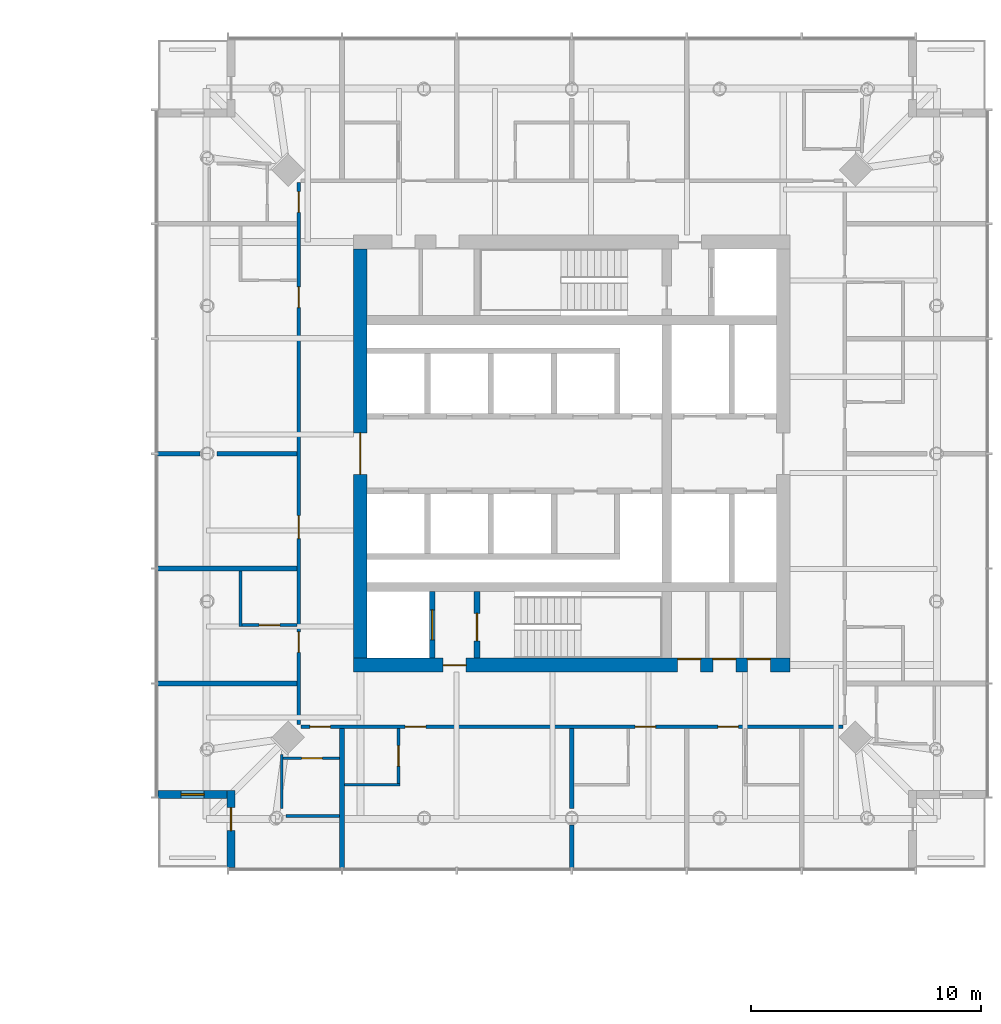
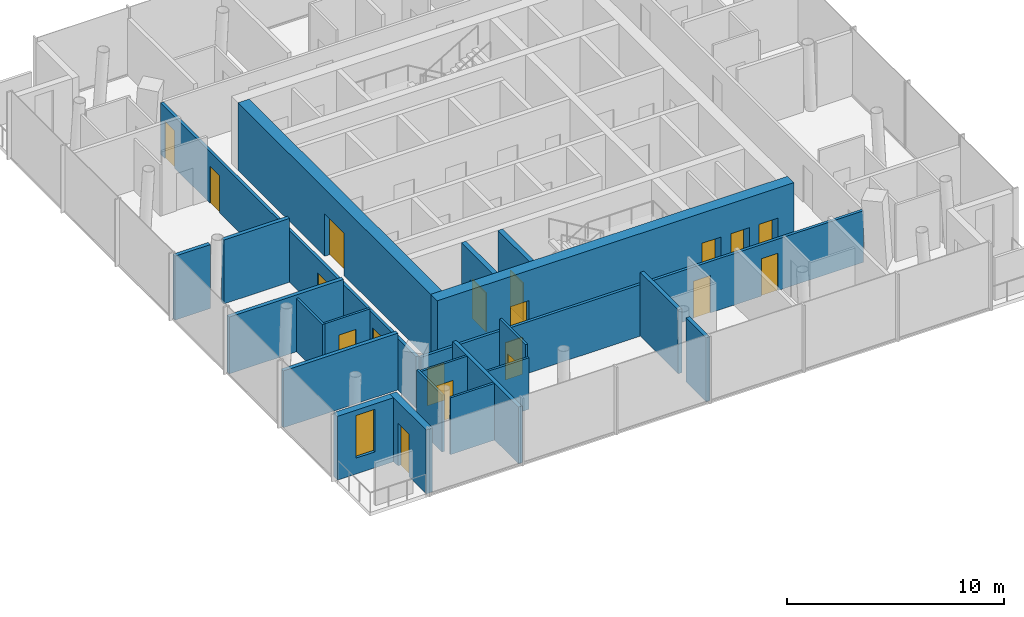
# One storey, part 12 of 18: 22 walls, 19 doors, 1 window, 20 openings.
"""IFC4 building model written with IfcOpenShell, lengths in metres."""

from ifc_helpers import new_model, si_unit, direction, frame, frame_2d, origin, place, context, subcontext, project, spatial, rectangle, extrude, material, layer, layer_set, type_object, element, fill, save


model = new_model("IFC4")

# Units and contexts
model_context = context("Model", 3, precision=1e-05, world=origin(), true_north=direction((0.0, 1.0)))
body_context = subcontext(model_context, "Body", "Model", "MODEL_VIEW")
ifc_project = project(units=[si_unit("LENGTHUNIT", "METRE"), si_unit("AREAUNIT", "SQUARE_METRE"), si_unit("VOLUMEUNIT", "CUBIC_METRE"), si_unit("PLANEANGLEUNIT", "RADIAN"), si_unit("MASSUNIT", "GRAM", prefix="KILO")], contexts=[model_context])

# Site, building, storey
site_placement = place(None, origin())
site = spatial("IfcSite", under=ifc_project, at=site_placement, CompositionType="ELEMENT")
building_placement = place(site_placement, origin())
building = spatial("IfcBuilding", under=site, at=building_placement, Name="Ostroluk Exchange", CompositionType="ELEMENT")
storey_placement = place(building_placement, frame((0.0, 0.0, 93.199951171875)))
storey = spatial("IfcBuildingStorey", under=building, at=storey_placement, Name="L23", CompositionType="ELEMENT", Elevation=93.199951171875)

# Wall, opening, door
ifc_material_1 = material(Name="Concrete C40/50", Category="concrete")
ifc_layer_1 = layer(ifc_material_1, 0.25)
ifc_layer_set_1 = layer_set([ifc_layer_1], Name="Core shaft wall 250")
wall_type_1 = type_object("IfcWallType", Name="Core shaft wall 250", PredefinedType="SHEAR", material=ifc_layer_set_1)
wall_1_placement = place(storey_placement, frame((110.925048828125, 37.10009765625, 0.0), z_axis=(0.0, 0.0, 1.0), x_axis=(0.0, 1.0, 0.0)))
wall_1 = element("IfcWall", 1, at=wall_1_placement, inside=storey, type_object=wall_type_1, Name="Firefighting lift shaft wall", PredefinedType="SHEAR", context=body_context, shape_type="SweptSolid", body=[
    extrude(rectangle(XDim=2.89990234375, YDim=0.25, at=frame_2d((1.449951171875, 0.0))), origin(), (0.0, 0.0, 1.0), 3.800048828125),
])
opening_1_placement = place(wall_1_placement, frame((0.800048828125, 0.0, 0.0)))
opening_1 = element("IfcOpeningElement", 2, at=opening_1_placement, cuts=wall_1, Name="Opening LD2", PredefinedType="OPENING", context=body_context, shape_type="SweptSolid", body=[
    extrude(rectangle(XDim=1.300048828125, YDim=2.199951171875, at=frame_2d((0.64990234375, 1.10009765625))), frame((0.0, 0.135009765625, 0.0), z_axis=(0.0, -1.0, 0.0), x_axis=(1.0, 0.0, 0.0)), (0.0, 0.0, 1.0), 0.27001953125),
])
ifc_material_2 = material(Name="Stainless steel", Category="steel")
door_type_1 = type_object("IfcDoorType", Name="Lift landing door E 60 1300 x 2200", OperationType="DOUBLE_DOOR_SLIDING", PredefinedType="DOOR", material=ifc_material_2)
door_1_placement = place(opening_1_placement, origin())
door_1 = element("IfcDoor", 3, at=door_1_placement, inside=storey, type_object=door_type_1, Name="Lift HF1 landing door", OperationType="DOUBLE_DOOR_SLIDING", OverallHeight=2.199951171875, OverallWidth=1.300048828125, PredefinedType="DOOR", context=body_context, shape_type="SweptSolid", body=[
    extrude(rectangle(XDim=1.300048828125, YDim=2.199951171875, at=frame_2d((0.64990234375, 1.10009765625))), frame((0.0, 0.02490234375, 0.0), z_axis=(0.0, -1.0, 0.0), x_axis=(1.0, 0.0, 0.0)), (0.0, 0.0, 1.0), 0.050048828125),
])
fill(opening_1, door_1)

wall_2_placement = place(storey_placement, frame((112.875, 37.10009765625, 0.0), z_axis=(0.0, 0.0, 1.0), x_axis=(0.0, 1.0, 0.0)))
wall_2 = element("IfcWall", 4, at=wall_2_placement, inside=storey, type_object=wall_type_1, Name="Stair shaft wall", PredefinedType="SHEAR", context=body_context, shape_type="SweptSolid", body=[
    extrude(rectangle(XDim=2.89990234375, YDim=0.25, at=frame_2d((1.449951171875, 0.0))), origin(), (0.0, 0.0, 1.0), 3.800048828125),
])
opening_2_placement = place(wall_2_placement, frame((0.75, 0.0, 0.0)))
opening_2 = element("IfcOpeningElement", 5, at=opening_2_placement, cuts=wall_2, Name="Opening FD60S", PredefinedType="OPENING", context=body_context, shape_type="SweptSolid", body=[
    extrude(rectangle(XDim=1.199951171875, YDim=2.10009765625, at=frame_2d((0.60009765625, 1.050048828125))), frame((0.0, 0.135009765625, 0.0), z_axis=(0.0, -1.0, 0.0), x_axis=(1.0, 0.0, 0.0)), (0.0, 0.0, 1.0), 0.27001953125),
])
ifc_material_3 = material(Name="Steel", Category="steel")
door_type_2 = type_object("IfcDoorType", Name="Stair door EI 60 1200 x 2100", OperationType="SINGLE_SWING_LEFT", PredefinedType="DOOR", material=ifc_material_3)
door_2_placement = place(opening_2_placement, origin())
door_2 = element("IfcDoor", 6, at=door_2_placement, inside=storey, type_object=door_type_2, Name="Stair T2-S1 door", OperationType="SINGLE_SWING_LEFT", OverallHeight=2.10009765625, OverallWidth=1.199951171875, PredefinedType="DOOR", context=body_context, shape_type="SweptSolid", body=[
    extrude(rectangle(XDim=1.199951171875, YDim=2.10009765625, at=frame_2d((0.60009765625, 1.050048828125))), frame((0.0, 0.02490234375, 0.0), z_axis=(0.0, -1.0, 0.0), x_axis=(1.0, 0.0, 0.0)), (0.0, 0.0, 1.0), 0.050048828125),
])
fill(opening_2, door_2)

# Wall, openings, doors
ifc_material_4 = material(Name="Concrete C50/60", Category="concrete")
ifc_layer_2 = layer(ifc_material_4, 0.60009765625)
ifc_layer_set_2 = layer_set([ifc_layer_2], Name="Core wall 600 C50/60")
wall_type_2 = type_object("IfcWallType", Name="Core wall 600 C50/60", PredefinedType="SHEAR", material=ifc_layer_set_2)
wall_3_placement = place(storey_placement, frame((107.5, 36.800048828125, 0.0), z_axis=(0.0, 0.0, 1.0), x_axis=(1.0, 0.0, 0.0)))
wall_3 = element("IfcWall", 7, at=wall_3_placement, inside=storey, type_object=wall_type_2, Name="T2 core wall S", PredefinedType="SHEAR", context=body_context, shape_type="SweptSolid", body=[
    extrude(rectangle(XDim=19.0, YDim=0.60009765625, at=frame_2d((9.5, 0.0))), origin(), (0.0, 0.0, 1.0), 3.800048828125),
])
opening_3_placement = place(wall_3_placement, frame((3.89990234375, 0.0, 0.0)))
opening_3 = element("IfcOpeningElement", 8, at=opening_3_placement, cuts=wall_3, Name="Opening FD60", PredefinedType="OPENING", context=body_context, shape_type="SweptSolid", body=[
    extrude(rectangle(XDim=1.0, YDim=2.10009765625, at=frame_2d((0.5, 1.050048828125))), frame((0.0, 0.31005859375, 0.0), z_axis=(0.0, -1.0, 0.0), x_axis=(1.0, 0.0, 0.0)), (0.0, 0.0, 1.0), 0.6201171875),
])
opening_4_placement = place(wall_3_placement, frame((14.10693359375, 0.0, 0.0)))
opening_4 = element("IfcOpeningElement", 9, at=opening_4_placement, cuts=wall_3, Name="Opening FD60", PredefinedType="OPENING", context=body_context, shape_type="SweptSolid", body=[
    extrude(rectangle(XDim=1.0, YDim=2.10009765625, at=frame_2d((0.5, 1.050048828125))), frame((0.0, 0.31005859375, 0.0), z_axis=(0.0, -1.0, 0.0), x_axis=(1.0, 0.0, 0.0)), (0.0, 0.0, 1.0), 0.6201171875),
])
opening_5_placement = place(wall_3_placement, frame((15.637939453125, 0.0, 0.0)))
opening_5 = element("IfcOpeningElement", 10, at=opening_5_placement, cuts=wall_3, Name="Opening FD60", PredefinedType="OPENING", context=body_context, shape_type="SweptSolid", body=[
    extrude(rectangle(XDim=1.0, YDim=2.10009765625, at=frame_2d((0.5, 1.050048828125))), frame((0.0, 0.31005859375, 0.0), z_axis=(0.0, -1.0, 0.0), x_axis=(1.0, 0.0, 0.0)), (0.0, 0.0, 1.0), 0.6201171875),
])
opening_6_placement = place(wall_3_placement, frame((17.141845703125, 0.0, 0.0)))
opening_6 = element("IfcOpeningElement", 11, at=opening_6_placement, cuts=wall_3, Name="Opening FD60", PredefinedType="OPENING", context=body_context, shape_type="SweptSolid", body=[
    extrude(rectangle(XDim=1.0, YDim=2.10009765625, at=frame_2d((0.5, 1.050048828125))), frame((0.0, 0.31005859375, 0.0), z_axis=(0.0, -1.0, 0.0), x_axis=(1.0, 0.0, 0.0)), (0.0, 0.0, 1.0), 0.6201171875),
])
ifc_material_5 = material(Name="Steel", Category="steel")
door_type_3 = type_object("IfcDoorType", Name="Fire door EI 60 1000 x 2100", OperationType="SINGLE_SWING_LEFT", PredefinedType="DOOR", material=ifc_material_5)
door_3_placement = place(opening_3_placement, origin())
door_3 = element("IfcDoor", 12, at=door_3_placement, inside=storey, type_object=door_type_3, Name="Firefighting lobby door", OperationType="SINGLE_SWING_LEFT", OverallHeight=2.10009765625, OverallWidth=1.0, PredefinedType="DOOR", context=body_context, shape_type="SweptSolid", body=[
    extrude(rectangle(XDim=1.0, YDim=2.10009765625, at=frame_2d((0.5, 1.050048828125))), frame((0.0, 0.02490234375, 0.0), z_axis=(0.0, -1.0, 0.0), x_axis=(1.0, 0.0, 0.0)), (0.0, 0.0, 1.0), 0.050048828125),
])
fill(opening_3, door_3)
door_4_placement = place(opening_4_placement, origin())
door_4 = element("IfcDoor", 13, at=door_4_placement, inside=storey, type_object=door_type_3, Name="Luggage store door", OperationType="SINGLE_SWING_RIGHT", OverallHeight=2.10009765625, OverallWidth=1.0, PredefinedType="DOOR", context=body_context, shape_type="SweptSolid", body=[
    extrude(rectangle(XDim=1.0, YDim=2.10009765625, at=frame_2d((0.5, 1.050048828125))), frame((0.0, 0.2900390625, 0.0), z_axis=(0.0, -1.0, 0.0), x_axis=(1.0, 0.0, 0.0)), (0.0, 0.0, 1.0), 0.050048828125),
])
fill(opening_4, door_4)
door_5_placement = place(opening_5_placement, origin())
door_5 = element("IfcDoor", 14, at=door_5_placement, inside=storey, type_object=door_type_3, Name="Comms room door", OperationType="SINGLE_SWING_RIGHT", OverallHeight=2.10009765625, OverallWidth=1.0, PredefinedType="DOOR", context=body_context, shape_type="SweptSolid", body=[
    extrude(rectangle(XDim=1.0, YDim=2.10009765625, at=frame_2d((0.5, 1.050048828125))), frame((0.0, 0.2900390625, 0.0), z_axis=(0.0, -1.0, 0.0), x_axis=(1.0, 0.0, 0.0)), (0.0, 0.0, 1.0), 0.050048828125),
])
fill(opening_5, door_5)
door_6_placement = place(opening_6_placement, origin())
door_6 = element("IfcDoor", 15, at=door_6_placement, inside=storey, type_object=door_type_3, Name="Linen store door", OperationType="SINGLE_SWING_RIGHT", OverallHeight=2.10009765625, OverallWidth=1.0, PredefinedType="DOOR", context=body_context, shape_type="SweptSolid", body=[
    extrude(rectangle(XDim=1.0, YDim=2.10009765625, at=frame_2d((0.5, 1.050048828125))), frame((0.0, 0.2900390625, 0.0), z_axis=(0.0, -1.0, 0.0), x_axis=(1.0, 0.0, 0.0)), (0.0, 0.0, 1.0), 0.050048828125),
])
fill(opening_6, door_6)

# Wall, opening, door
wall_4_placement = place(storey_placement, frame((107.800048828125, 37.10009765625, 0.0), z_axis=(0.0, 0.0, 1.0), x_axis=(0.0, 1.0, 0.0)))
wall_4 = element("IfcWall", 16, at=wall_4_placement, inside=storey, type_object=wall_type_2, Name="T2 core wall W", PredefinedType="SHEAR", context=body_context, shape_type="SweptSolid", body=[
    extrude(rectangle(XDim=17.7998046875, YDim=0.60009765625, at=frame_2d((8.89990234375, 0.0))), origin(), (0.0, 0.0, 1.0), 3.800048828125),
])
opening_7_placement = place(wall_4_placement, frame((8.0, 0.0, 0.0)))
opening_7 = element("IfcOpeningElement", 17, at=opening_7_placement, cuts=wall_4, Name="Opening FD30D", PredefinedType="OPENING", context=body_context, shape_type="SweptSolid", body=[
    extrude(rectangle(XDim=1.800048828125, YDim=2.39990234375, at=frame_2d((0.89990234375, 1.199951171875))), frame((0.0, 0.31005859375, 0.0), z_axis=(0.0, -1.0, 0.0), x_axis=(1.0, 0.0, 0.0)), (0.0, 0.0, 1.0), 0.6201171875),
])
ifc_material_6 = material(Name="Timber", Category="wood")
door_type_4 = type_object("IfcDoorType", Name="Lobby double door EI 30 1800 x 2400", OperationType="DOUBLE_DOOR_SINGLE_SWING", PredefinedType="DOOR", material=ifc_material_6)
door_7_placement = place(opening_7_placement, origin())
door_7 = element("IfcDoor", 18, at=door_7_placement, inside=storey, type_object=door_type_4, Name="Lift lobby doors", OperationType="DOUBLE_DOOR_SINGLE_SWING", OverallHeight=2.39990234375, OverallWidth=1.800048828125, PredefinedType="DOOR", context=body_context, shape_type="SweptSolid", body=[
    extrude(rectangle(XDim=1.800048828125, YDim=2.39990234375, at=frame_2d((0.89990234375, 1.199951171875))), frame((0.0, 0.02490234375, 0.0), z_axis=(0.0, -1.0, 0.0), x_axis=(1.0, 0.0, 0.0)), (0.0, 0.0, 1.0), 0.050048828125),
])
fill(opening_7, door_7)

ifc_material_7 = material(Name="Limestone", Category="masonry")
ifc_layer_3 = layer(ifc_material_7, 0.35009765625)
ifc_layer_set_3 = layer_set([ifc_layer_3], Name="Limestone facade wall 350")
wall_type_3 = type_object("IfcWallType", Name="Limestone facade wall 350", PredefinedType="SOLIDWALL", material=ifc_layer_set_3)
wall_5_placement = place(storey_placement, frame((102.175048828125, 28.0, 0.0), z_axis=(0.0, 0.0, 1.0), x_axis=(0.0, 1.0, 0.0)))
wall_5 = element("IfcWall", 19, at=wall_5_placement, inside=storey, type_object=wall_type_3, Name="Hotel tower SW corner wall L23 a", PredefinedType="SOLIDWALL", context=body_context, shape_type="SweptSolid", body=[
    extrude(rectangle(XDim=3.35009765625, YDim=0.35009765625, at=frame_2d((1.675048828125, 0.0))), origin(), (0.0, 0.0, 1.0), 3.60009765625),
])
opening_8_placement = place(wall_5_placement, frame((1.60009765625, 0.0, 0.0)))
opening_8 = element("IfcOpeningElement", 20, at=opening_8_placement, cuts=wall_5, Name="Opening D-B1", PredefinedType="OPENING", context=body_context, shape_type="SweptSolid", body=[
    extrude(rectangle(XDim=1.0, YDim=2.39990234375, at=frame_2d((0.5, 1.199951171875))), frame((0.0, 0.18505859375, 0.0), z_axis=(0.0, -1.0, 0.0), x_axis=(1.0, 0.0, 0.0)), (0.0, 0.0, 1.0), 0.3701171875),
])
ifc_material_8 = material(Name="Bronze framed glazed door", Category="aluminium")
door_type_5 = type_object("IfcDoorType", Name="Balcony door 1000 x 2400", OperationType="SINGLE_SWING_LEFT", PredefinedType="DOOR", material=ifc_material_8)
door_8_placement = place(opening_8_placement, origin())
door_8 = element("IfcDoor", 21, at=door_8_placement, inside=storey, type_object=door_type_5, Name="Hotel tower SW balcony door L23", OperationType="SINGLE_SWING_RIGHT", OverallHeight=2.39990234375, OverallWidth=1.0, PredefinedType="DOOR", context=body_context, shape_type="SweptSolid", body=[
    extrude(rectangle(XDim=1.0, YDim=2.39990234375, at=frame_2d((0.5, 1.199951171875))), frame((0.0, 0.02490234375, 0.0), z_axis=(0.0, -1.0, 0.0), x_axis=(1.0, 0.0, 0.0)), (0.0, 0.0, 1.0), 0.050048828125),
])
fill(opening_8, door_8)

# Wall, opening, window
wall_6_placement = place(storey_placement, frame((102.0, 31.175048828125, 0.0), z_axis=(0.0, 0.0, 1.0), x_axis=(-1.0, 0.0, 0.0)))
wall_6 = element("IfcWall", 22, at=wall_6_placement, inside=storey, type_object=wall_type_3, Name="Hotel tower SW corner wall L23 b", PredefinedType="SOLIDWALL", context=body_context, shape_type="SweptSolid", body=[
    extrude(rectangle(XDim=3.0, YDim=0.35009765625, at=frame_2d((1.5, 0.0))), origin(), (0.0, 0.0, 1.0), 3.60009765625),
])
opening_9_placement = place(wall_6_placement, frame((1.0, 0.0, 0.89990234375)))
opening_9 = element("IfcOpeningElement", 23, at=opening_9_placement, cuts=wall_6, Name="Opening WN-L3", PredefinedType="OPENING", context=body_context, shape_type="SweptSolid", body=[
    extrude(rectangle(XDim=1.0, YDim=2.39990234375, at=frame_2d((0.5, 1.199951171875))), frame((0.0, 0.18505859375, 0.0), z_axis=(0.0, -1.0, 0.0), x_axis=(1.0, 0.0, 0.0)), (0.0, 0.0, 1.0), 0.3701171875),
])
ifc_material_9 = material(Name="Laminated clear glass", Category="glass")
window_type = type_object("IfcWindowType", Name="Hotel lancet window 1000 x 2400", PartitioningType="SINGLE_PANEL", PredefinedType="WINDOW", material=ifc_material_9)
window_placement = place(opening_9_placement, origin())
window = element("IfcWindow", 24, at=window_placement, inside=storey, type_object=window_type, Name="Hotel tower SW lancet window L23", OverallHeight=2.39990234375, OverallWidth=1.0, PartitioningType="SINGLE_PANEL", PredefinedType="WINDOW", context=body_context, shape_type="SweptSolid", body=[
    extrude(rectangle(XDim=1.0, YDim=2.39990234375, at=frame_2d((0.5, 1.199951171875))), frame((0.0, 0.030029296875, 0.0), z_axis=(0.0, -1.0, 0.0), x_axis=(1.0, 0.0, 0.0)), (0.0, 0.0, 1.0), 0.06005859375),
])
fill(opening_9, window)

# Wall
ifc_material_10 = material(Name="Gypsum plasterboard partition, moisture resistant", Category="gypsum")
ifc_layer_4 = layer(ifc_material_10, 0.1201171875)
ifc_layer_set_4 = layer_set([ifc_layer_4], Name="Plasterboard en-suite wall 120")
wall_type_4 = type_object("IfcWallType", Name="Plasterboard en-suite wall 120", PredefinedType="PARTITIONING", material=ifc_layer_set_4)
wall_7_placement = place(storey_placement, frame((102.590087890625, 40.89990234375, 0.0), z_axis=(0.0, 0.0, 1.0), x_axis=(0.0, -1.0, 0.0)))
element("IfcWall", 25, at=wall_7_placement, inside=storey, type_object=wall_type_4, Name="En-suite wall", PredefinedType="PARTITIONING", context=body_context, shape_type="SweptSolid", body=[
    extrude(rectangle(XDim=2.419921875, YDim=0.1201171875, at=frame_2d((1.2099609375, 0.0))), origin(), (0.0, 0.0, 1.0), 3.0),
])

# Wall, opening, door
wall_8_placement = place(storey_placement, frame((105.050048828125, 38.5400390625, 0.0), z_axis=(0.0, 0.0, 1.0), x_axis=(-1.0, 0.0, 0.0)))
wall_8 = element("IfcWall", 26, at=wall_8_placement, inside=storey, type_object=wall_type_4, Name="En-suite wall", PredefinedType="PARTITIONING", context=body_context, shape_type="SweptSolid", body=[
    extrude(rectangle(XDim=2.400146484375, YDim=0.1201171875, at=frame_2d((1.2001953125, 0.0))), origin(), (0.0, 0.0, 1.0), 3.0),
])
opening_10_placement = place(wall_8_placement, frame((0.75, 0.0, 0.0)))
opening_10 = element("IfcOpeningElement", 27, at=opening_10_placement, cuts=wall_8, Name="Opening D-02", PredefinedType="OPENING", context=body_context, shape_type="SweptSolid", body=[
    extrude(rectangle(XDim=0.89990234375, YDim=2.10009765625, at=frame_2d((0.449951171875, 1.050048828125))), frame((0.0, 0.070068359375, 0.0), z_axis=(0.0, -1.0, 0.0), x_axis=(1.0, 0.0, 0.0)), (0.0, 0.0, 1.0), 0.14013671875),
])
ifc_material_11 = material(Name="Timber", Category="wood")
door_type_6 = type_object("IfcDoorType", Name="En-suite door 900 x 2100", OperationType="SINGLE_SWING_LEFT", PredefinedType="DOOR", material=ifc_material_11)
door_9_placement = place(opening_10_placement, origin())
door_9 = element("IfcDoor", 28, at=door_9_placement, inside=storey, type_object=door_type_6, Name="En-suite door 2311", OperationType="SINGLE_SWING_RIGHT", OverallHeight=2.10009765625, OverallWidth=0.89990234375, PredefinedType="DOOR", context=body_context, shape_type="SweptSolid", body=[
    extrude(rectangle(XDim=0.89990234375, YDim=2.10009765625, at=frame_2d((0.449951171875, 1.050048828125))), frame((0.0, 0.02490234375, 0.0), z_axis=(0.0, -1.0, 0.0), x_axis=(1.0, 0.0, 0.0)), (0.0, 0.0, 1.0), 0.050048828125),
])
fill(opening_10, door_9)

wall_9_placement = place(storey_placement, frame((106.89990234375, 32.75, 0.0), z_axis=(0.0, 0.0, 1.0), x_axis=(-1.0, 0.0, 0.0)))
wall_9 = element("IfcWall", 29, at=wall_9_placement, inside=storey, type_object=wall_type_4, Name="En-suite wall", PredefinedType="PARTITIONING", context=body_context, shape_type="SweptSolid", body=[
    extrude(rectangle(XDim=2.579833984375, YDim=0.1201171875, at=frame_2d((1.2900390625, 0.0))), origin(), (0.0, 0.0, 1.0), 3.199951171875),
])
opening_11_placement = place(wall_9_placement, frame((0.75, 0.0, 0.0)))
opening_11 = element("IfcOpeningElement", 30, at=opening_11_placement, cuts=wall_9, Name="Opening D-02", PredefinedType="OPENING", context=body_context, shape_type="SweptSolid", body=[
    extrude(rectangle(XDim=0.89990234375, YDim=2.10009765625, at=frame_2d((0.449951171875, 1.050048828125))), frame((0.0, 0.070068359375, 0.0), z_axis=(0.0, -1.0, 0.0), x_axis=(1.0, 0.0, 0.0)), (0.0, 0.0, 1.0), 0.14013671875),
])
door_10_placement = place(opening_11_placement, origin())
door_10 = element("IfcDoor", 31, at=door_10_placement, inside=storey, type_object=door_type_6, Name="En-suite door 2312", OperationType="SINGLE_SWING_LEFT", OverallHeight=2.10009765625, OverallWidth=0.89990234375, PredefinedType="DOOR", context=body_context, shape_type="SweptSolid", body=[
    extrude(rectangle(XDim=0.89990234375, YDim=2.10009765625, at=frame_2d((0.449951171875, 1.050048828125))), frame((0.0, 0.02490234375, 0.0), z_axis=(0.0, -1.0, 0.0), x_axis=(1.0, 0.0, 0.0)), (0.0, 0.0, 1.0), 0.050048828125),
])
fill(opening_11, door_10)

# Walls
wall_10_placement = place(storey_placement, frame((106.89990234375, 30.22998046875, 0.0), z_axis=(0.0, 0.0, 1.0), x_axis=(-1.0, 0.0, 0.0)))
element("IfcWall", 32, at=wall_10_placement, inside=storey, type_object=wall_type_4, Name="En-suite wall", PredefinedType="PARTITIONING", context=body_context, shape_type="SweptSolid", body=[
    extrude(rectangle(XDim=2.344482421875, YDim=0.1201171875, at=frame_2d((1.17236328125, 0.0))), origin(), (0.0, 0.0, 1.0), 3.199951171875),
])
wall_11_placement = place(storey_placement, frame((104.3798828125, 32.905029296875, 0.0), z_axis=(0.0, 0.0, 1.0), x_axis=(0.0, -1.0, 0.0)))
element("IfcWall", 33, at=wall_11_placement, inside=storey, type_object=wall_type_4, Name="En-suite wall", PredefinedType="PARTITIONING", context=body_context, shape_type="SweptSolid", body=[
    extrude(rectangle(XDim=2.349609375, YDim=0.1201171875, at=frame_2d((1.1748046875, 0.0))), origin(), (0.0, 0.0, 1.0), 3.199951171875),
])
wall_12_placement = place(storey_placement, frame((107.10009765625, 31.590087890625, 0.0), z_axis=(0.0, 0.0, 1.0), x_axis=(1.0, 0.0, 0.0)))
element("IfcWall", 34, at=wall_12_placement, inside=storey, type_object=wall_type_4, Name="En-suite wall", PredefinedType="PARTITIONING", context=body_context, shape_type="SweptSolid", body=[
    extrude(rectangle(XDim=2.419921875, YDim=0.1201171875, at=frame_2d((1.2099609375, 0.0))), origin(), (0.0, 0.0, 1.0), 2.900146484375),
])

# Wall, opening, door
wall_13_placement = place(storey_placement, frame((109.4599609375, 34.050048828125, 0.0), z_axis=(0.0, 0.0, 1.0), x_axis=(0.0, -1.0, 0.0)))
wall_13 = element("IfcWall", 35, at=wall_13_placement, inside=storey, type_object=wall_type_4, Name="En-suite wall", PredefinedType="PARTITIONING", context=body_context, shape_type="SweptSolid", body=[
    extrude(rectangle(XDim=2.400146484375, YDim=0.1201171875, at=frame_2d((1.2001953125, 0.0))), origin(), (0.0, 0.0, 1.0), 3.60009765625),
])
opening_12_placement = place(wall_13_placement, frame((0.75, 0.0, 0.0)))
opening_12 = element("IfcOpeningElement", 36, at=opening_12_placement, cuts=wall_13, Name="Opening D-02", PredefinedType="OPENING", context=body_context, shape_type="SweptSolid", body=[
    extrude(rectangle(XDim=0.89990234375, YDim=2.10009765625, at=frame_2d((0.449951171875, 1.050048828125))), frame((0.0, 0.070068359375, 0.0), z_axis=(0.0, -1.0, 0.0), x_axis=(1.0, 0.0, 0.0)), (0.0, 0.0, 1.0), 0.14013671875),
])
door_11_placement = place(opening_12_placement, origin())
door_11 = element("IfcDoor", 37, at=door_11_placement, inside=storey, type_object=door_type_6, Name="En-suite door 2313", OperationType="SINGLE_SWING_RIGHT", OverallHeight=2.10009765625, OverallWidth=0.89990234375, PredefinedType="DOOR", context=body_context, shape_type="SweptSolid", body=[
    extrude(rectangle(XDim=0.89990234375, YDim=2.10009765625, at=frame_2d((0.449951171875, 1.050048828125))), frame((0.0, 0.02490234375, 0.0), z_axis=(0.0, -1.0, 0.0), x_axis=(1.0, 0.0, 0.0)), (0.0, 0.0, 1.0), 0.050048828125),
])
fill(opening_12, door_11)

# Wall, openings, doors
ifc_material_12 = material(Name="Gypsum plasterboard partition", Category="gypsum")
ifc_layer_5 = layer(ifc_material_12, 0.14990234375)
ifc_layer_set_5 = layer_set([ifc_layer_5], Name="Plasterboard partition 150")
wall_type_5 = type_object("IfcWallType", Name="Plasterboard partition 150", PredefinedType="PARTITIONING", material=ifc_layer_set_5)
wall_14_placement = place(storey_placement, frame((105.125, 57.791259765625, 0.0), z_axis=(0.0, 0.0, 1.0), x_axis=(0.0, -1.0, 0.0)))
wall_14 = element("IfcWall", 38, at=wall_14_placement, inside=storey, type_object=wall_type_5, Name="Corridor wall", PredefinedType="PARTITIONING", context=body_context, shape_type="SweptSolid", body=[
    extrude(rectangle(XDim=23.58251953125, YDim=0.14990234375, at=frame_2d((11.791259765625, 0.0))), origin(), (0.0, 0.0, 1.0), 2.900146484375),
])
opening_13_placement = place(wall_14_placement, frame((0.39111328125, 0.0, 0.0)))
opening_13 = element("IfcOpeningElement", 39, at=opening_13_placement, cuts=wall_14, Name="Opening D-01", PredefinedType="OPENING", context=body_context, shape_type="SweptSolid", body=[
    extrude(rectangle(XDim=0.89990234375, YDim=2.10009765625, at=frame_2d((0.449951171875, 1.050048828125))), frame((0.0, 0.0849609375, 0.0), z_axis=(0.0, -1.0, 0.0), x_axis=(1.0, 0.0, 0.0)), (0.0, 0.0, 1.0), 0.169921875),
])
opening_14_placement = place(wall_14_placement, frame((4.541259765625, 0.0, 0.0)))
opening_14 = element("IfcOpeningElement", 40, at=opening_14_placement, cuts=wall_14, Name="Opening D-01", PredefinedType="OPENING", context=body_context, shape_type="SweptSolid", body=[
    extrude(rectangle(XDim=0.89990234375, YDim=2.10009765625, at=frame_2d((0.449951171875, 1.050048828125))), frame((0.0, 0.0849609375, 0.0), z_axis=(0.0, -1.0, 0.0), x_axis=(1.0, 0.0, 0.0)), (0.0, 0.0, 1.0), 0.169921875),
])
opening_15_placement = place(wall_14_placement, frame((14.4912109375, 0.0, 0.0)))
opening_15 = element("IfcOpeningElement", 41, at=opening_15_placement, cuts=wall_14, Name="Opening D-03", PredefinedType="OPENING", context=body_context, shape_type="SweptSolid", body=[
    extrude(rectangle(XDim=1.0, YDim=2.10009765625, at=frame_2d((0.5, 1.050048828125))), frame((0.0, 0.0849609375, 0.0), z_axis=(0.0, -1.0, 0.0), x_axis=(1.0, 0.0, 0.0)), (0.0, 0.0, 1.0), 0.169921875),
])
opening_16_placement = place(wall_14_placement, frame((19.541259765625, 0.0, 0.0)))
opening_16 = element("IfcOpeningElement", 42, at=opening_16_placement, cuts=wall_14, Name="Opening D-01", PredefinedType="OPENING", context=body_context, shape_type="SweptSolid", body=[
    extrude(rectangle(XDim=0.89990234375, YDim=2.10009765625, at=frame_2d((0.449951171875, 1.050048828125))), frame((0.0, 0.0849609375, 0.0), z_axis=(0.0, -1.0, 0.0), x_axis=(1.0, 0.0, 0.0)), (0.0, 0.0, 1.0), 0.169921875),
])
ifc_material_13 = material(Name="Timber", Category="wood")
door_type_7 = type_object("IfcDoorType", Name="Hotel room door EI 30 Sa 900 x 2100", OperationType="SINGLE_SWING_LEFT", PredefinedType="DOOR", material=ifc_material_13)
door_12_placement = place(opening_13_placement, origin())
door_12 = element("IfcDoor", 43, at=door_12_placement, inside=storey, type_object=door_type_7, Name="Room door 2309", OperationType="SINGLE_SWING_LEFT", OverallHeight=2.10009765625, OverallWidth=0.89990234375, PredefinedType="DOOR", context=body_context, shape_type="SweptSolid", body=[
    extrude(rectangle(XDim=0.89990234375, YDim=2.10009765625, at=frame_2d((0.449951171875, 1.050048828125))), frame((0.0, 0.02490234375, 0.0), z_axis=(0.0, -1.0, 0.0), x_axis=(1.0, 0.0, 0.0)), (0.0, 0.0, 1.0), 0.050048828125),
])
fill(opening_13, door_12)
door_13_placement = place(opening_14_placement, origin())
door_13 = element("IfcDoor", 44, at=door_13_placement, inside=storey, type_object=door_type_7, Name="Room door 2310", OperationType="SINGLE_SWING_LEFT", OverallHeight=2.10009765625, OverallWidth=0.89990234375, PredefinedType="DOOR", context=body_context, shape_type="SweptSolid", body=[
    extrude(rectangle(XDim=0.89990234375, YDim=2.10009765625, at=frame_2d((0.449951171875, 1.050048828125))), frame((0.0, 0.02490234375, 0.0), z_axis=(0.0, -1.0, 0.0), x_axis=(1.0, 0.0, 0.0)), (0.0, 0.0, 1.0), 0.050048828125),
])
fill(opening_14, door_13)
door_14_placement = place(opening_16_placement, origin())
door_14 = element("IfcDoor", 45, at=door_14_placement, inside=storey, type_object=door_type_7, Name="Room door 2311", OperationType="SINGLE_SWING_RIGHT", OverallHeight=2.10009765625, OverallWidth=0.89990234375, PredefinedType="DOOR", context=body_context, shape_type="SweptSolid", body=[
    extrude(rectangle(XDim=0.89990234375, YDim=2.10009765625, at=frame_2d((0.449951171875, 1.050048828125))), frame((0.0, 0.02490234375, 0.0), z_axis=(0.0, -1.0, 0.0), x_axis=(1.0, 0.0, 0.0)), (0.0, 0.0, 1.0), 0.050048828125),
])
fill(opening_16, door_14)
ifc_material_14 = material(Name="Timber", Category="wood")
door_type_8 = type_object("IfcDoorType", Name="Internal door 1000 x 2100", OperationType="SINGLE_SWING_LEFT", PredefinedType="DOOR", material=ifc_material_14)
door_15_placement = place(opening_15_placement, origin())
door_15 = element("IfcDoor", 46, at=door_15_placement, inside=storey, type_object=door_type_8, Name="Housekeeping store door", OperationType="SINGLE_SWING_RIGHT", OverallHeight=2.10009765625, OverallWidth=1.0, PredefinedType="DOOR", context=body_context, shape_type="SweptSolid", body=[
    extrude(rectangle(XDim=1.0, YDim=2.10009765625, at=frame_2d((0.5, 1.050048828125))), frame((0.0, 0.02490234375, 0.0), z_axis=(0.0, -1.0, 0.0), x_axis=(1.0, 0.0, 0.0)), (0.0, 0.0, 1.0), 0.050048828125),
])
fill(opening_15, door_15)

wall_15_placement = place(storey_placement, frame((105.208740234375, 34.125, 0.0), z_axis=(0.0, 0.0, 1.0), x_axis=(1.0, 0.0, 0.0)))
wall_15 = element("IfcWall", 47, at=wall_15_placement, inside=storey, type_object=wall_type_5, Name="Corridor wall", PredefinedType="PARTITIONING", context=body_context, shape_type="SweptSolid", body=[
    extrude(rectangle(XDim=23.58251953125, YDim=0.14990234375, at=frame_2d((11.791259765625, 0.0))), origin(), (0.0, 0.0, 1.0), 2.900146484375),
])
opening_17_placement = place(wall_15_placement, frame((0.39111328125, 0.0, 0.0)))
opening_17 = element("IfcOpeningElement", 48, at=opening_17_placement, cuts=wall_15, Name="Opening D-01", PredefinedType="OPENING", context=body_context, shape_type="SweptSolid", body=[
    extrude(rectangle(XDim=0.89990234375, YDim=2.10009765625, at=frame_2d((0.449951171875, 1.050048828125))), frame((0.0, 0.0849609375, 0.0), z_axis=(0.0, -1.0, 0.0), x_axis=(1.0, 0.0, 0.0)), (0.0, 0.0, 1.0), 0.169921875),
])
opening_18_placement = place(wall_15_placement, frame((4.541259765625, 0.0, 0.0)))
opening_18 = element("IfcOpeningElement", 49, at=opening_18_placement, cuts=wall_15, Name="Opening D-01", PredefinedType="OPENING", context=body_context, shape_type="SweptSolid", body=[
    extrude(rectangle(XDim=0.89990234375, YDim=2.10009765625, at=frame_2d((0.449951171875, 1.050048828125))), frame((0.0, 0.0849609375, 0.0), z_axis=(0.0, -1.0, 0.0), x_axis=(1.0, 0.0, 0.0)), (0.0, 0.0, 1.0), 0.169921875),
])
opening_19_placement = place(wall_15_placement, frame((14.541259765625, 0.0, 0.0)))
opening_19 = element("IfcOpeningElement", 50, at=opening_19_placement, cuts=wall_15, Name="Opening D-01", PredefinedType="OPENING", context=body_context, shape_type="SweptSolid", body=[
    extrude(rectangle(XDim=0.89990234375, YDim=2.10009765625, at=frame_2d((0.449951171875, 1.050048828125))), frame((0.0, 0.0849609375, 0.0), z_axis=(0.0, -1.0, 0.0), x_axis=(1.0, 0.0, 0.0)), (0.0, 0.0, 1.0), 0.169921875),
])
opening_20_placement = place(wall_15_placement, frame((18.14111328125, 0.0, 0.0)))
opening_20 = element("IfcOpeningElement", 51, at=opening_20_placement, cuts=wall_15, Name="Opening D-01", PredefinedType="OPENING", context=body_context, shape_type="SweptSolid", body=[
    extrude(rectangle(XDim=0.89990234375, YDim=2.10009765625, at=frame_2d((0.449951171875, 1.050048828125))), frame((0.0, 0.0849609375, 0.0), z_axis=(0.0, -1.0, 0.0), x_axis=(1.0, 0.0, 0.0)), (0.0, 0.0, 1.0), 0.169921875),
])
door_16_placement = place(opening_17_placement, origin())
door_16 = element("IfcDoor", 52, at=door_16_placement, inside=storey, type_object=door_type_7, Name="Room door 2312", OperationType="SINGLE_SWING_LEFT", OverallHeight=2.10009765625, OverallWidth=0.89990234375, PredefinedType="DOOR", context=body_context, shape_type="SweptSolid", body=[
    extrude(rectangle(XDim=0.89990234375, YDim=2.10009765625, at=frame_2d((0.449951171875, 1.050048828125))), frame((0.0, 0.02490234375, 0.0), z_axis=(0.0, -1.0, 0.0), x_axis=(1.0, 0.0, 0.0)), (0.0, 0.0, 1.0), 0.050048828125),
])
fill(opening_17, door_16)
door_17_placement = place(opening_18_placement, origin())
door_17 = element("IfcDoor", 53, at=door_17_placement, inside=storey, type_object=door_type_7, Name="Room door 2313", OperationType="SINGLE_SWING_LEFT", OverallHeight=2.10009765625, OverallWidth=0.89990234375, PredefinedType="DOOR", context=body_context, shape_type="SweptSolid", body=[
    extrude(rectangle(XDim=0.89990234375, YDim=2.10009765625, at=frame_2d((0.449951171875, 1.050048828125))), frame((0.0, 0.02490234375, 0.0), z_axis=(0.0, -1.0, 0.0), x_axis=(1.0, 0.0, 0.0)), (0.0, 0.0, 1.0), 0.050048828125),
])
fill(opening_18, door_17)
door_18_placement = place(opening_19_placement, origin())
door_18 = element("IfcDoor", 54, at=door_18_placement, inside=storey, type_object=door_type_7, Name="Room door 2314", OperationType="SINGLE_SWING_RIGHT", OverallHeight=2.10009765625, OverallWidth=0.89990234375, PredefinedType="DOOR", context=body_context, shape_type="SweptSolid", body=[
    extrude(rectangle(XDim=0.89990234375, YDim=2.10009765625, at=frame_2d((0.449951171875, 1.050048828125))), frame((0.0, 0.02490234375, 0.0), z_axis=(0.0, -1.0, 0.0), x_axis=(1.0, 0.0, 0.0)), (0.0, 0.0, 1.0), 0.050048828125),
])
fill(opening_19, door_18)
door_19_placement = place(opening_20_placement, origin())
door_19 = element("IfcDoor", 55, at=door_19_placement, inside=storey, type_object=door_type_7, Name="Room door 2315", OperationType="SINGLE_SWING_RIGHT", OverallHeight=2.10009765625, OverallWidth=0.89990234375, PredefinedType="DOOR", context=body_context, shape_type="SweptSolid", body=[
    extrude(rectangle(XDim=0.89990234375, YDim=2.10009765625, at=frame_2d((0.449951171875, 1.050048828125))), frame((0.0, 0.02490234375, 0.0), z_axis=(0.0, -1.0, 0.0), x_axis=(1.0, 0.0, 0.0)), (0.0, 0.0, 1.0), 0.050048828125),
])
fill(opening_20, door_19)

# Walls
ifc_material_15 = material(Name="Gypsum plasterboard partition", Category="gypsum")
ifc_layer_6 = layer(ifc_material_15, 0.199951171875)
ifc_layer_set_6 = layer_set([ifc_layer_6], Name="Plasterboard party wall 200")
wall_type_6 = type_object("IfcWallType", Name="Plasterboard party wall 200", PredefinedType="PARTITIONING", material=ifc_layer_set_6)
wall_16_placement = place(storey_placement, frame((105.050048828125, 46.0, 0.0), z_axis=(0.0, 0.0, 1.0), x_axis=(-1.0, 0.0, 0.0)))
element("IfcWall", 56, at=wall_16_placement, inside=storey, type_object=wall_type_6, Name="Party wall", PredefinedType="PARTITIONING", context=body_context, shape_type="SweptSolid", body=[
    extrude(rectangle(XDim=3.49462890625, YDim=0.199951171875, at=frame_2d((1.747314453125, 0.0))), origin(), (0.0, 0.0, 1.0), 3.60009765625),
])
wall_17_placement = place(storey_placement, frame((100.83251953125, 46.0, 0.0), z_axis=(0.0, 0.0, 1.0), x_axis=(-1.0, 0.0, 0.0)))
element("IfcWall", 57, at=wall_17_placement, inside=storey, type_object=wall_type_6, Name="Party wall", PredefinedType="PARTITIONING", context=body_context, shape_type="SweptSolid", body=[
    extrude(rectangle(XDim=1.87255859375, YDim=0.199951171875, at=frame_2d((0.936279296875, 0.0))), origin(), (0.0, 0.0, 1.0), 3.60009765625),
])
for number, where, z_axis, x_axis, name in (
    (58, (105.050048828125, 41.0, 0.0), (0.0, 0.0, 1.0), (-1.0, 0.0, 0.0), "Party wall"),
    (59, (105.050048828125, 36.0, 0.0), (0.0, 0.0, 1.0), (-1.0, 0.0, 0.0), "Party wall"),
    (60, (107.0, 34.050048828125, 0.0), (0.0, 0.0, 1.0), (0.0, -1.0, 0.0), "Party wall"),
):
    element("IfcWall", number, at=place(storey_placement, frame(where, z_axis=z_axis, x_axis=x_axis)), inside=storey, type_object=wall_type_6, Name=name, PredefinedType="PARTITIONING", context=body_context, shape_type="SweptSolid", body=[
        extrude(rectangle(XDim=6.090087890625, YDim=0.199951171875, at=frame_2d((3.044921875, 0.0))), origin(), (0.0, 0.0, 1.0), 3.199951171875),
    ])
wall_18_placement = place(storey_placement, frame((117.0, 34.050048828125, 0.0), z_axis=(0.0, 0.0, 1.0), x_axis=(0.0, -1.0, 0.0)))
element("IfcWall", 61, at=wall_18_placement, inside=storey, type_object=wall_type_6, Name="Party wall", PredefinedType="PARTITIONING", context=body_context, shape_type="SweptSolid", body=[
    extrude(rectangle(XDim=3.49462890625, YDim=0.199951171875, at=frame_2d((1.747314453125, 0.0))), origin(), (0.0, 0.0, 1.0), 3.60009765625),
])
wall_19_placement = place(storey_placement, frame((117.0, 29.83251953125, 0.0), z_axis=(0.0, 0.0, 1.0), x_axis=(0.0, -1.0, 0.0)))
element("IfcWall", 62, at=wall_19_placement, inside=storey, type_object=wall_type_6, Name="Party wall", PredefinedType="PARTITIONING", context=body_context, shape_type="SweptSolid", body=[
    extrude(rectangle(XDim=1.87255859375, YDim=0.199951171875, at=frame_2d((0.936279296875, 0.0))), origin(), (0.0, 0.0, 1.0), 3.60009765625),
])

save(model, "model.ifc")
